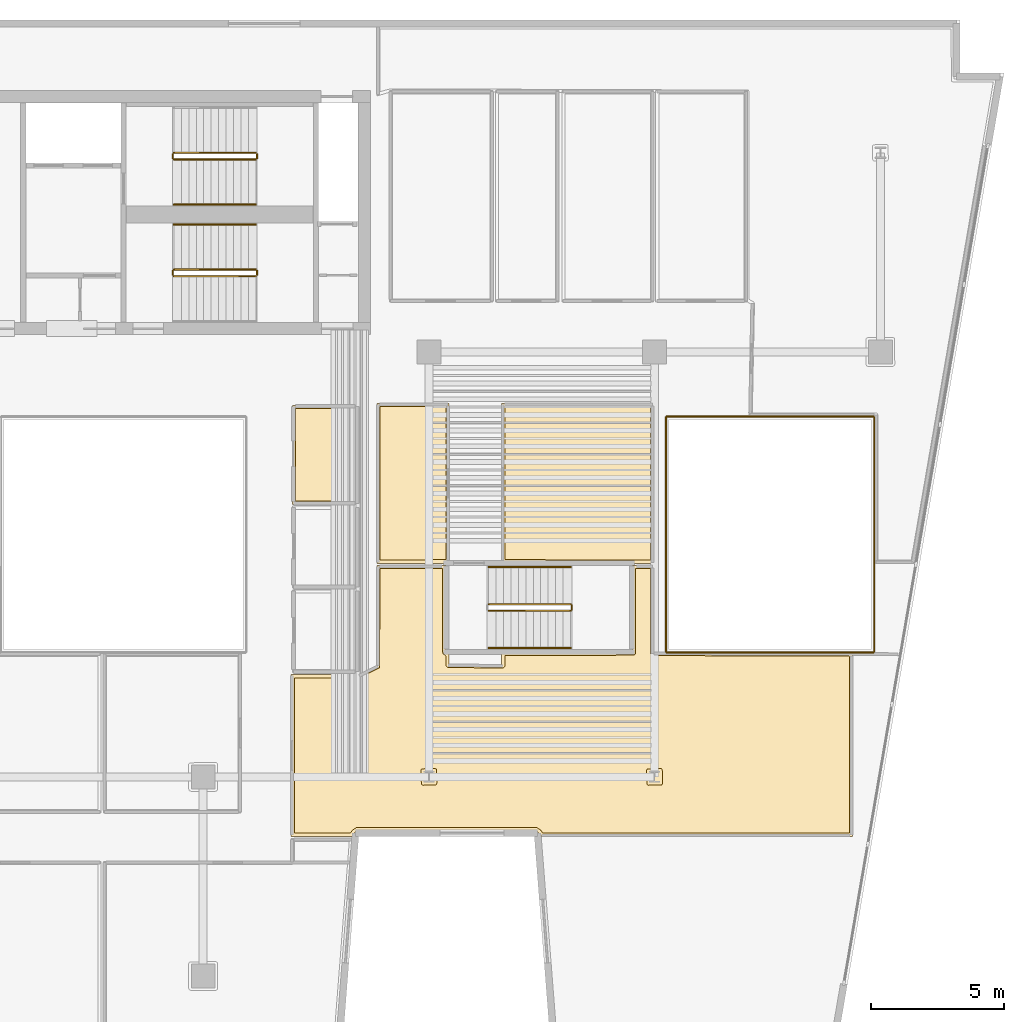
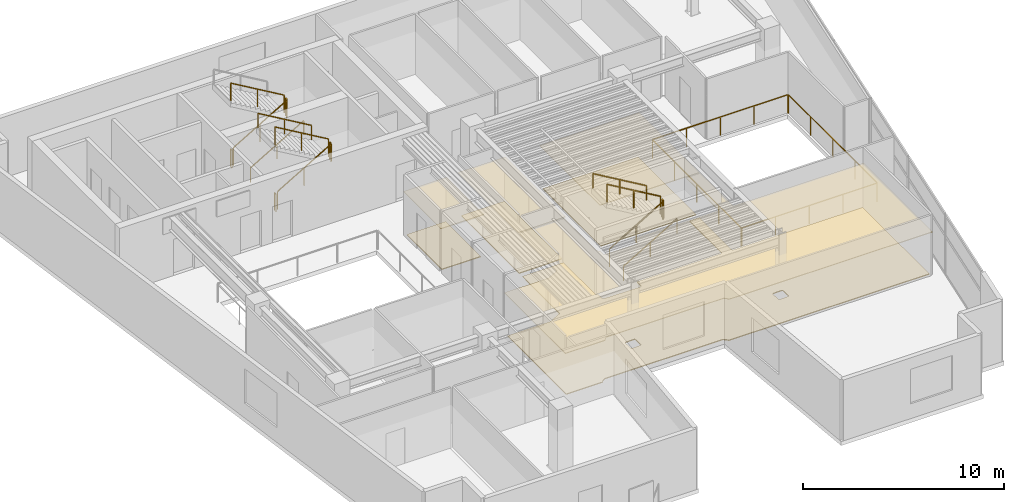
# One storey, part 8 of 9: 19 railings, 8 coverings.
"""IFC4 building model written with IfcOpenShell, lengths in metres."""

from ifc_helpers import new_model, si_unit, direction, frame, origin, origin_2d, place, context, subcontext, project, spatial, polyline, rectangle, outline, extrude, material, layer, layer_set, type_object, element, save


model = new_model("IFC4")

# Units and contexts
model_context = context("Model", 3, precision=1e-05, world=origin(), true_north=direction((0.0, 1.0)))
body_context = subcontext(model_context, "Body", "Model", "MODEL_VIEW")
ifc_project = project(units=[si_unit("LENGTHUNIT", "METRE"), si_unit("AREAUNIT", "SQUARE_METRE"), si_unit("VOLUMEUNIT", "CUBIC_METRE"), si_unit("PLANEANGLEUNIT", "RADIAN"), si_unit("MASSUNIT", "GRAM", prefix="KILO")], contexts=[model_context])

# Site, building, storey
site_placement = place(None, origin())
site = spatial("IfcSite", under=ifc_project, at=site_placement, CompositionType="ELEMENT")
building_placement = place(site_placement, origin())
building = spatial("IfcBuilding", under=site, at=building_placement, Name="Caeloran Harvest Quay", CompositionType="ELEMENT")
storey_placement = place(building_placement, frame((0.0, 0.0, 195.60009765625)))
storey = spatial("IfcBuildingStorey", under=building, at=storey_placement, Name="L46", CompositionType="ELEMENT", Elevation=195.60009765625)

# Coverings
ifc_material_1 = material(Name="Perforated Mineral-Fibre Acoustic Ceiling Tile", Category="ceiling")
ifc_layer_1 = layer(ifc_material_1, 0.0400390625, Name="Perforated Mineral-Fibre Acoustic Ceiling Tile")
ifc_layer_set_1 = layer_set([ifc_layer_1], Name="Perforated Mineral-Fibre Acoustic Ceiling Tile")
covering_type_1 = type_object("IfcCoveringType", Name="COV-CEILING-ACOUSTIC", PredefinedType="CEILING", material=ifc_layer_set_1)
covering_1_placement = place(storey_placement, frame((0.0, 0.0, 2.599853515625)))
element("IfcCovering", 1, at=covering_1_placement, inside=storey, type_object=covering_type_1, Name="L46 Male Washroom WC Acoustic Ceiling", PredefinedType="CEILING", context=body_context, shape_type="SweptSolid", body=[
    extrude(outline(polyline([(22.840087890625, 28.989990234375), (22.840087890625, 25.260009765625), (20.360107421875, 25.260009765625), (20.360107421875, 28.989990234375), (22.840087890625, 28.989990234375)])), origin(), (0.0, 0.0, 1.0), 0.0400390625),
])
covering_2_placement = place(storey_placement, frame((0.0, 0.0, 2.599853515625)))
element("IfcCovering", 2, at=covering_2_placement, inside=storey, type_object=covering_type_1, Name="Corporate Legal Counsel Office Acoustic Ceiling", PredefinedType="CEILING", context=body_context, shape_type="SweptSolid", body=[
    extrude(outline(polyline([(33.159912109375, 22.9599609375), (33.9599609375, 22.9599609375), (33.9599609375, 19.679931640625), (41.4599609375, 19.659912109375), (41.4599609375, 12.760009765625), (29.727294921875, 12.760009765625), (29.64111328125, 12.887451171875), (29.54150390625, 12.969970703125), (22.78515625, 12.969970703125), (22.685302734375, 12.887451171875), (22.59912109375, 12.760009765625), (20.31005859375, 12.760009765625), (20.31005859375, 18.85009765625), (22.87353515625, 18.85009765625), (23.5400390625, 19.184814453125), (23.5400390625, 22.9599609375), (26.139892578125, 22.9599609375), (26.139892578125, 19.69921875), (26.260009765625, 19.604248046875), (26.260009765625, 19.239501953125), (28.239990234375, 19.210693359375), (28.239990234375, 19.68994140625), (33.159912109375, 19.68994140625), (33.159912109375, 22.9599609375)])), origin(), (0.0, 0.0, 1.0), 0.0400390625),
])
covering_3_placement = place(storey_placement, frame((0.0, 0.0, 2.599853515625)))
element("IfcCovering", 3, at=covering_3_placement, inside=storey, type_object=covering_type_1, Name="Interview Meeting Room Acoustic Ceiling", PredefinedType="CEILING", context=body_context, shape_type="SweptSolid", body=[
    extrude(outline(polyline([(26.13720703125, 23.06005859375), (26.1298828125, 23.0400390625), (23.5400390625, 23.0400390625), (23.5400390625, 29.06005859375), (26.260009765625, 29.06005859375), (26.260009765625, 23.06005859375), (26.13720703125, 23.06005859375)])), origin(), (0.0, 0.0, 1.0), 0.0400390625),
])
covering_4_placement = place(storey_placement, frame((0.0, 0.0, 2.599853515625)))
element("IfcCovering", 4, at=covering_4_placement, inside=storey, type_object=covering_type_1, Name="Staff Tea Kitchen Acoustic Ceiling", PredefinedType="CEILING", context=body_context, shape_type="SweptSolid", body=[
    extrude(outline(polyline([(33.162841796875, 23.06005859375), (28.239990234375, 23.06005859375), (28.239990234375, 29.06005859375), (33.9599609375, 29.06005859375), (33.9599609375, 23.0400390625), (33.170166015625, 23.0400390625), (33.162841796875, 23.06005859375)])), origin(), (0.0, 0.0, 1.0), 0.0400390625),
])
ifc_material_2 = material(Name="Calcium-Sulphate Raised Access Floor and Terrazzo Finish", Category="flooring")
ifc_layer_2 = layer(ifc_material_2, 0.050048828125, Name="Calcium-Sulphate Raised Access Floor and Terrazzo Finish")
ifc_layer_set_2 = layer_set([ifc_layer_2], Name="Calcium-Sulphate Raised Access Floor and Terrazzo Finish")
covering_type_2 = type_object("IfcCoveringType", Name="COV-FLOOR-RAISED", PredefinedType="FLOORING", material=ifc_layer_set_2)
covering_5_placement = place(storey_placement, origin())
element("IfcCovering", 5, at=covering_5_placement, inside=storey, type_object=covering_type_2, Name="L46 Male Washroom WC Raised Finish Flooring", PredefinedType="FLOORING", context=body_context, shape_type="SweptSolid", body=[
    extrude(outline(polyline([(22.719970703125, 28.8701171875), (22.719970703125, 25.3798828125), (20.47998046875, 25.3798828125), (20.47998046875, 28.8701171875), (22.719970703125, 28.8701171875)])), origin(), (0.0, 0.0, 1.0), 0.0498046875),
])
covering_6_placement = place(storey_placement, origin())
element("IfcCovering", 6, at=covering_6_placement, inside=storey, type_object=covering_type_2, Name="Corporate Legal Counsel Office Raised Finish Flooring", PredefinedType="FLOORING", context=body_context, shape_type="SweptSolid", body=[
    extrude(outline(polyline([(22.54296875, 12.8798828125), (20.429931640625, 12.8798828125), (20.429931640625, 18.72998046875), (22.890380859375, 18.73046875), (23.64111328125, 19.1083984375), (23.659912109375, 22.840087890625), (26.02001953125, 22.840087890625), (26.02001953125, 19.679931640625), (26.038818359375, 19.62841796875), (26.139892578125, 19.54638671875), (26.1416015625, 19.1845703125), (26.203369140625, 19.12158203125), (28.294677734375, 19.09130859375), (28.359619140625, 19.162109375), (28.360107421875, 19.570068359375), (33.23779296875, 19.579345703125), (33.280029296875, 19.64990234375), (33.280029296875, 22.840087890625), (33.840087890625, 22.840087890625), (33.840087890625, 19.639892578125), (33.88916015625, 19.566162109375), (41.340087890625, 19.540283203125), (41.340087890625, 12.8798828125), (29.783447265625, 12.8798828125), (29.709716796875, 12.990478515625), (29.559326171875, 13.090087890625), (22.76708984375, 13.090087890625), (22.616943359375, 12.990478515625), (22.54296875, 12.8798828125)]), holes=[polyline([(34.302490234375, 14.754150390625), (34.284912109375, 15.288818359375), (34.230712890625, 15.317626953125), (33.726318359375, 15.2998046875), (33.697021484375, 15.238037109375), (33.715087890625, 14.711181640625), (33.777099609375, 14.681884765625), (34.273681640625, 14.7001953125), (34.302490234375, 14.754150390625)]), polyline([(25.802490234375, 14.754150390625), (25.784912109375, 15.288818359375), (25.730712890625, 15.317626953125), (25.226318359375, 15.2998046875), (25.197021484375, 15.238037109375), (25.215087890625, 14.711181640625), (25.277099609375, 14.681884765625), (25.773681640625, 14.7001953125), (25.802490234375, 14.754150390625)])]), origin(), (0.0, 0.0, 1.0), 0.0498046875),
])
covering_7_placement = place(storey_placement, origin())
element("IfcCovering", 7, at=covering_7_placement, inside=storey, type_object=covering_type_2, Name="Interview Meeting Room Raised Finish Flooring", PredefinedType="FLOORING", context=body_context, shape_type="SweptSolid", body=[
    extrude(outline(polyline([(26.139892578125, 23.179931640625), (23.659912109375, 23.159912109375), (23.659912109375, 28.93994140625), (26.139892578125, 28.93994140625), (26.139892578125, 23.179931640625)])), origin(), (0.0, 0.0, 1.0), 0.0498046875),
])
covering_8_placement = place(storey_placement, origin())
element("IfcCovering", 8, at=covering_8_placement, inside=storey, type_object=covering_type_2, Name="Staff Tea Kitchen Raised Finish Flooring", PredefinedType="FLOORING", context=body_context, shape_type="SweptSolid", body=[
    extrude(outline(polyline([(33.840087890625, 23.159912109375), (28.360107421875, 23.179931640625), (28.360107421875, 28.93994140625), (33.840087890625, 28.93994140625), (33.840087890625, 23.159912109375)])), origin(), (0.0, 0.0, 1.0), 0.0498046875),
])

# Railings
ifc_material_3 = material(Name="Powder-Coated Steel Post and Laminated Glass Guardrail", Category="steel")
ifc_layer_3 = layer(ifc_material_3, 0.06005859375, Name="Powder-Coated Steel Post and Laminated Glass Guardrail")
ifc_layer_set_3 = layer_set([ifc_layer_3], Name="Powder-Coated Steel Post and Laminated Glass Guardrail")
railing_type_1 = type_object("IfcRailingType", Name="GUARD-ATRIUM-1150", PredefinedType="GUARDRAIL", material=ifc_layer_set_3)
railing_1_placement = place(storey_placement, frame((34.4619140625, 19.679931640625, 0.0)))
element("IfcRailing", 9, at=railing_1_placement, inside=storey, type_object=railing_type_1, Name="L46 East Botanical Lightwell Guardrail Seg 1", PredefinedType="GUARDRAIL", context=body_context, shape_type="SweptSolid", body=[
    extrude(rectangle(XDim=0.048095703125, YDim=0.048095703125, at=origin_2d()), frame((0.0, 0.0, 1.1259765625), z_axis=(1.0, 0.0, 0.0), x_axis=(0.0, 1.0, 0.0)), (0.0, 0.0, 1.0), 7.776123046875),
    extrude(rectangle(XDim=0.0419921875, YDim=0.0419921875, at=origin_2d()), origin(), (0.0, 0.0, 1.0), 1.101806640625),
    extrude(rectangle(XDim=0.0419921875, YDim=0.0419921875, at=origin_2d()), frame((1.944091796875, 0.0, 0.0)), (0.0, 0.0, 1.0), 1.101806640625),
    extrude(rectangle(XDim=0.0419921875, YDim=0.0419921875, at=origin_2d()), frame((3.88818359375, 0.0, 0.0)), (0.0, 0.0, 1.0), 1.101806640625),
    extrude(rectangle(XDim=0.0419921875, YDim=0.0419921875, at=origin_2d()), frame((5.83203125, 0.0, 0.0)), (0.0, 0.0, 1.0), 1.101806640625),
    extrude(rectangle(XDim=0.0419921875, YDim=0.0419921875, at=origin_2d()), frame((7.776123046875, 0.0, 0.0)), (0.0, 0.0, 1.0), 1.101806640625),
])
railing_2_placement = place(storey_placement, frame((42.27001953125, 19.7119140625, 0.0)))
element("IfcRailing", 10, at=railing_2_placement, inside=storey, type_object=railing_type_1, Name="L46 East Botanical Lightwell Guardrail Seg 2", PredefinedType="GUARDRAIL", context=body_context, shape_type="SweptSolid", body=[
    extrude(rectangle(XDim=0.048095703125, YDim=0.048095703125, at=origin_2d()), frame((0.0, 0.0, 1.1259765625), z_axis=(0.0, 1.0, 0.0), x_axis=(-1.0, 0.0, 0.0)), (0.0, 0.0, 1.0), 8.826171875),
    extrude(rectangle(XDim=0.0419921875, YDim=0.0419921875, at=origin_2d()), origin(), (0.0, 0.0, 1.0), 1.101806640625),
    extrude(rectangle(XDim=0.0419921875, YDim=0.0419921875, at=origin_2d()), frame((0.0, 2.20654296875, 0.0)), (0.0, 0.0, 1.0), 1.101806640625),
    extrude(rectangle(XDim=0.0419921875, YDim=0.0419921875, at=origin_2d()), frame((0.0, 4.4130859375, 0.0)), (0.0, 0.0, 1.0), 1.101806640625),
    extrude(rectangle(XDim=0.0419921875, YDim=0.0419921875, at=origin_2d()), frame((0.0, 6.61962890625, 0.0)), (0.0, 0.0, 1.0), 1.101806640625),
    extrude(rectangle(XDim=0.0419921875, YDim=0.0419921875, at=origin_2d()), frame((0.0, 8.826171875, 0.0)), (0.0, 0.0, 1.0), 1.101806640625),
])
railing_3_placement = place(storey_placement, frame((42.238037109375, 28.570068359375, 0.0)))
element("IfcRailing", 11, at=railing_3_placement, inside=storey, type_object=railing_type_1, Name="L46 East Botanical Lightwell Guardrail Seg 3", PredefinedType="GUARDRAIL", context=body_context, shape_type="SweptSolid", body=[
    extrude(rectangle(XDim=0.048095703125, YDim=0.048095703125, at=origin_2d()), frame((0.0, 0.0, 1.1259765625), z_axis=(-1.0, 0.0, 0.0), x_axis=(0.0, -1.0, 0.0)), (0.0, 0.0, 1.0), 7.776123046875),
    extrude(rectangle(XDim=0.0419921875, YDim=0.0419921875, at=origin_2d()), origin(), (0.0, 0.0, 1.0), 1.101806640625),
    extrude(rectangle(XDim=0.0419921875, YDim=0.0419921875, at=origin_2d()), frame((-1.944091796875, 0.0, 0.0)), (0.0, 0.0, 1.0), 1.101806640625),
    extrude(rectangle(XDim=0.0419921875, YDim=0.0419921875, at=origin_2d()), frame((-3.88818359375, 0.0, 0.0)), (0.0, 0.0, 1.0), 1.101806640625),
    extrude(rectangle(XDim=0.0419921875, YDim=0.0419921875, at=origin_2d()), frame((-5.83203125, 0.0, 0.0)), (0.0, 0.0, 1.0), 1.101806640625),
    extrude(rectangle(XDim=0.0419921875, YDim=0.0419921875, at=origin_2d()), frame((-7.776123046875, 0.0, 0.0)), (0.0, 0.0, 1.0), 1.101806640625),
])
railing_4_placement = place(storey_placement, frame((34.429931640625, 28.5380859375, 0.0)))
element("IfcRailing", 12, at=railing_4_placement, inside=storey, type_object=railing_type_1, Name="L46 East Botanical Lightwell Guardrail Seg 4", PredefinedType="GUARDRAIL", context=body_context, shape_type="SweptSolid", body=[
    extrude(rectangle(XDim=0.048095703125, YDim=0.048095703125, at=origin_2d()), frame((0.0, 0.0, 1.1259765625), z_axis=(0.0, -1.0, 0.0), x_axis=(1.0, 0.0, 0.0)), (0.0, 0.0, 1.0), 8.826171875),
    extrude(rectangle(XDim=0.0419921875, YDim=0.0419921875, at=origin_2d()), origin(), (0.0, 0.0, 1.0), 1.101806640625),
    extrude(rectangle(XDim=0.0419921875, YDim=0.0419921875, at=origin_2d()), frame((0.0, -2.20654296875, 0.0)), (0.0, 0.0, 1.0), 1.101806640625),
    extrude(rectangle(XDim=0.0419921875, YDim=0.0419921875, at=origin_2d()), frame((0.0, -4.4130859375, 0.0)), (0.0, 0.0, 1.0), 1.101806640625),
    extrude(rectangle(XDim=0.0419921875, YDim=0.0419921875, at=origin_2d()), frame((0.0, -6.61962890625, 0.0)), (0.0, 0.0, 1.0), 1.101806640625),
    extrude(rectangle(XDim=0.0419921875, YDim=0.0419921875, at=origin_2d()), frame((0.0, -8.826171875, 0.0)), (0.0, 0.0, 1.0), 1.101806640625),
])
ifc_material_4 = material(Name="Painted Steel Baluster and Top-Rail Stair Guard", Category="steel")
ifc_layer_4 = layer(ifc_material_4, 0.050048828125, Name="Painted Steel Baluster and Top-Rail Stair Guard")
ifc_layer_set_4 = layer_set([ifc_layer_4], Name="Painted Steel Baluster and Top-Rail Stair Guard")
railing_type_2 = type_object("IfcRailingType", Name="STAIR-GUARD-1100", PredefinedType="GUARDRAIL", material=ifc_layer_set_4)
railing_5_placement = place(storey_placement, frame((15.89990234375, 38.25, 0.16455078125)))
element("IfcRailing", 13, at=railing_5_placement, inside=storey, type_object=railing_type_2, Name="L46 ST-C1 stair guard 1", PredefinedType="GUARDRAIL", context=body_context, shape_type="SweptSolid", body=[
    extrude(rectangle(XDim=0.048095703125, YDim=0.048095703125, at=origin_2d()), frame((0.0, 0.0, 1.076171875), z_axis=(0.862118610829, 0.0, 0.506706523406), x_axis=(0.0, 1.0, 0.0)), (0.0, 0.0, 1.0), 3.57275390625),
    extrude(rectangle(XDim=0.0419921875, YDim=0.0419921875, at=origin_2d()), origin(), (0.0, 0.0, 1.0), 1.052001953125),
    extrude(rectangle(XDim=0.0419921875, YDim=0.0419921875, at=origin_2d()), frame((1.5400390625, 0.0, 0.9052734375)), (0.0, 0.0, 1.0), 1.052001953125),
    extrude(rectangle(XDim=0.0419921875, YDim=0.0419921875, at=origin_2d()), frame((3.080078125, 0.0, 1.810302734375)), (0.0, 0.0, 1.0), 1.052001953125),
])
railing_6_placement = place(storey_placement, frame((19.030029296875, 38.300048828125, 1.974853515625)))
element("IfcRailing", 14, at=railing_6_placement, inside=storey, type_object=railing_type_2, Name="L46 ST-C1 stair guard 2", PredefinedType="GUARDRAIL", context=body_context, shape_type="SweptSolid", body=[
    extrude(rectangle(XDim=0.048095703125, YDim=0.048095703125, at=origin_2d()), frame((0.0, 0.0, 1.076171875), z_axis=(0.0, 1.0, 0.0), x_axis=(-1.0, 0.0, 0.0)), (0.0, 0.0, 1.0), 0.14990234375),
    extrude(rectangle(XDim=0.0419921875, YDim=0.0419921875, at=origin_2d()), origin(), (0.0, 0.0, 1.0), 1.052001953125),
    extrude(rectangle(XDim=0.0419921875, YDim=0.0419921875, at=origin_2d()), frame((0.0, 0.14990234375, 0.0)), (0.0, 0.0, 1.0), 1.052001953125),
])
railing_7_placement = place(storey_placement, frame((18.97998046875, 38.5, 2.139404296875)))
element("IfcRailing", 15, at=railing_7_placement, inside=storey, type_object=railing_type_2, Name="L46 ST-C1 stair guard 3", PredefinedType="GUARDRAIL", context=body_context, shape_type="SweptSolid", body=[
    extrude(rectangle(XDim=0.048095703125, YDim=0.048095703125, at=origin_2d()), frame((0.0, 0.0, 1.076171875), z_axis=(-0.862088758681, 0.0, 0.506757310905), x_axis=(0.0, -1.0, 0.0)), (0.0, 0.0, 1.0), 3.57275390625),
    extrude(rectangle(XDim=0.0419921875, YDim=0.0419921875, at=origin_2d()), origin(), (0.0, 0.0, 1.0), 1.052001953125),
    extrude(rectangle(XDim=0.0419921875, YDim=0.0419921875, at=origin_2d()), frame((-1.5400390625, 0.0, 0.9052734375)), (0.0, 0.0, 1.0), 1.052001953125),
    extrude(rectangle(XDim=0.0419921875, YDim=0.0419921875, at=origin_2d()), frame((-3.080078125, 0.0, 1.810546875)), (0.0, 0.0, 1.0), 1.052001953125),
])
railing_8_placement = place(storey_placement, frame((15.85009765625, 38.300048828125, 0.0)))
element("IfcRailing", 16, at=railing_8_placement, inside=storey, type_object=railing_type_2, Name="L46 ST-C1 stair guard 4", PredefinedType="GUARDRAIL", context=body_context, shape_type="SweptSolid", body=[
    extrude(rectangle(XDim=0.048095703125, YDim=0.048095703125, at=origin_2d()), frame((0.0, 0.0, 1.076171875), z_axis=(0.0, 1.0, 0.0), x_axis=(-1.0, 0.0, 0.0)), (0.0, 0.0, 1.0), 0.14990234375),
    extrude(rectangle(XDim=0.0419921875, YDim=0.0419921875, at=origin_2d()), origin(), (0.0, 0.0, 1.0), 1.052001953125),
    extrude(rectangle(XDim=0.0419921875, YDim=0.0419921875, at=origin_2d()), frame((0.0, 0.14990234375, 0.0)), (0.0, 0.0, 1.0), 1.052001953125),
])
railing_9_placement = place(storey_placement, frame((15.89990234375, 33.85009765625, 0.16455078125)))
element("IfcRailing", 17, at=railing_9_placement, inside=storey, type_object=railing_type_2, Name="L46 ST-C2 stair guard 1", PredefinedType="GUARDRAIL", context=body_context, shape_type="SweptSolid", body=[
    extrude(rectangle(XDim=0.048095703125, YDim=0.048095703125, at=origin_2d()), frame((0.0, 0.0, 1.076171875), z_axis=(0.862118610829, 0.0, 0.506706523406), x_axis=(0.0, 1.0, 0.0)), (0.0, 0.0, 1.0), 3.57275390625),
    extrude(rectangle(XDim=0.0419921875, YDim=0.0419921875, at=origin_2d()), origin(), (0.0, 0.0, 1.0), 1.052001953125),
    extrude(rectangle(XDim=0.0419921875, YDim=0.0419921875, at=origin_2d()), frame((1.5400390625, 0.0, 0.9052734375)), (0.0, 0.0, 1.0), 1.052001953125),
    extrude(rectangle(XDim=0.0419921875, YDim=0.0419921875, at=origin_2d()), frame((3.080078125, 0.0, 1.810302734375)), (0.0, 0.0, 1.0), 1.052001953125),
])
railing_10_placement = place(storey_placement, frame((19.030029296875, 33.89990234375, 1.974853515625)))
element("IfcRailing", 18, at=railing_10_placement, inside=storey, type_object=railing_type_2, Name="L46 ST-C2 stair guard 2", PredefinedType="GUARDRAIL", context=body_context, shape_type="SweptSolid", body=[
    extrude(rectangle(XDim=0.048095703125, YDim=0.048095703125, at=origin_2d()), frame((0.0, 0.0, 1.076171875), z_axis=(0.0, 1.0, 0.0), x_axis=(-1.0, 0.0, 0.0)), (0.0, 0.0, 1.0), 0.150146484375),
    extrude(rectangle(XDim=0.0419921875, YDim=0.0419921875, at=origin_2d()), origin(), (0.0, 0.0, 1.0), 1.052001953125),
    extrude(rectangle(XDim=0.0419921875, YDim=0.0419921875, at=origin_2d()), frame((0.0, 0.150146484375, 0.0)), (0.0, 0.0, 1.0), 1.052001953125),
])
railing_11_placement = place(storey_placement, frame((18.97998046875, 34.10009765625, 2.139404296875)))
element("IfcRailing", 19, at=railing_11_placement, inside=storey, type_object=railing_type_2, Name="L46 ST-C2 stair guard 3", PredefinedType="GUARDRAIL", context=body_context, shape_type="SweptSolid", body=[
    extrude(rectangle(XDim=0.048095703125, YDim=0.048095703125, at=origin_2d()), frame((0.0, 0.0, 1.076171875), z_axis=(-0.862088758681, 0.0, 0.506757310905), x_axis=(0.0, -1.0, 0.0)), (0.0, 0.0, 1.0), 3.57275390625),
    extrude(rectangle(XDim=0.0419921875, YDim=0.0419921875, at=origin_2d()), origin(), (0.0, 0.0, 1.0), 1.052001953125),
    extrude(rectangle(XDim=0.0419921875, YDim=0.0419921875, at=origin_2d()), frame((-1.5400390625, 0.0, 0.9052734375)), (0.0, 0.0, 1.0), 1.052001953125),
    extrude(rectangle(XDim=0.0419921875, YDim=0.0419921875, at=origin_2d()), frame((-3.080078125, 0.0, 1.810546875)), (0.0, 0.0, 1.0), 1.052001953125),
])
railing_12_placement = place(storey_placement, frame((15.85009765625, 33.89990234375, 0.0)))
element("IfcRailing", 20, at=railing_12_placement, inside=storey, type_object=railing_type_2, Name="L46 ST-C2 stair guard 4", PredefinedType="GUARDRAIL", context=body_context, shape_type="SweptSolid", body=[
    extrude(rectangle(XDim=0.048095703125, YDim=0.048095703125, at=origin_2d()), frame((0.0, 0.0, 1.076171875), z_axis=(0.0, 1.0, 0.0), x_axis=(-1.0, 0.0, 0.0)), (0.0, 0.0, 1.0), 0.150146484375),
    extrude(rectangle(XDim=0.0419921875, YDim=0.0419921875, at=origin_2d()), origin(), (0.0, 0.0, 1.0), 1.052001953125),
    extrude(rectangle(XDim=0.0419921875, YDim=0.0419921875, at=origin_2d()), frame((0.0, 0.150146484375, 0.0)), (0.0, 0.0, 1.0), 1.052001953125),
])
railing_13_placement = place(storey_placement, frame((27.75, 21.25, 0.16455078125)))
element("IfcRailing", 21, at=railing_13_placement, inside=storey, type_object=railing_type_2, Name="L46 ST-W1 stair guard 1", PredefinedType="GUARDRAIL", context=body_context, shape_type="SweptSolid", body=[
    extrude(rectangle(XDim=0.048095703125, YDim=0.048095703125, at=origin_2d()), frame((0.0, 0.0, 1.076171875), z_axis=(0.862118610829, 0.0, 0.506706523406), x_axis=(0.0, 1.0, 0.0)), (0.0, 0.0, 1.0), 3.57275390625),
    extrude(rectangle(XDim=0.0419921875, YDim=0.0419921875, at=origin_2d()), origin(), (0.0, 0.0, 1.0), 1.052001953125),
    extrude(rectangle(XDim=0.0419921875, YDim=0.0419921875, at=origin_2d()), frame((1.5400390625, 0.0, 0.9052734375)), (0.0, 0.0, 1.0), 1.052001953125),
    extrude(rectangle(XDim=0.0419921875, YDim=0.0419921875, at=origin_2d()), frame((3.080078125, 0.0, 1.810302734375)), (0.0, 0.0, 1.0), 1.052001953125),
])
railing_14_placement = place(storey_placement, frame((30.8798828125, 21.300048828125, 1.974853515625)))
element("IfcRailing", 22, at=railing_14_placement, inside=storey, type_object=railing_type_2, Name="L46 ST-W1 stair guard 2", PredefinedType="GUARDRAIL", context=body_context, shape_type="SweptSolid", body=[
    extrude(rectangle(XDim=0.048095703125, YDim=0.048095703125, at=origin_2d()), frame((0.0, 0.0, 1.076171875), z_axis=(0.0, 1.0, 0.0), x_axis=(-1.0, 0.0, 0.0)), (0.0, 0.0, 1.0), 0.14990234375),
    extrude(rectangle(XDim=0.0419921875, YDim=0.0419921875, at=origin_2d()), origin(), (0.0, 0.0, 1.0), 1.052001953125),
    extrude(rectangle(XDim=0.0419921875, YDim=0.0419921875, at=origin_2d()), frame((0.0, 0.14990234375, 0.0)), (0.0, 0.0, 1.0), 1.052001953125),
])
railing_15_placement = place(storey_placement, frame((30.830078125, 21.5, 2.139404296875)))
element("IfcRailing", 23, at=railing_15_placement, inside=storey, type_object=railing_type_2, Name="L46 ST-W1 stair guard 3", PredefinedType="GUARDRAIL", context=body_context, shape_type="SweptSolid", body=[
    extrude(rectangle(XDim=0.048095703125, YDim=0.048095703125, at=origin_2d()), frame((0.0, 0.0, 1.076171875), z_axis=(-0.862088758681, 0.0, 0.506757310905), x_axis=(0.0, -1.0, 0.0)), (0.0, 0.0, 1.0), 3.57275390625),
    extrude(rectangle(XDim=0.0419921875, YDim=0.0419921875, at=origin_2d()), origin(), (0.0, 0.0, 1.0), 1.052001953125),
    extrude(rectangle(XDim=0.0419921875, YDim=0.0419921875, at=origin_2d()), frame((-1.5400390625, 0.0, 0.9052734375)), (0.0, 0.0, 1.0), 1.052001953125),
    extrude(rectangle(XDim=0.0419921875, YDim=0.0419921875, at=origin_2d()), frame((-3.080078125, 0.0, 1.810546875)), (0.0, 0.0, 1.0), 1.052001953125),
])
ifc_material_5 = material(Name="Brushed Stainless Steel Grade 304", Category="steel")
ifc_layer_5 = layer(ifc_material_5, 0.050048828125, Name="Brushed Stainless Steel Grade 304")
ifc_layer_set_5 = layer_set([ifc_layer_5], Name="Brushed Stainless Steel Grade 304")
railing_type_3 = type_object("IfcRailingType", Name="STAIR-HANDRAIL-900", PredefinedType="HANDRAIL", material=ifc_layer_set_5)
railing_16_placement = place(storey_placement, frame((15.89990234375, 36.550048828125, 0.16455078125)))
element("IfcRailing", 24, at=railing_16_placement, inside=storey, type_object=railing_type_3, Name="L46 ST-C1 stair handrail 1", PredefinedType="HANDRAIL", context=body_context, shape_type="SweptSolid", body=[
    extrude(rectangle(XDim=0.048095703125, YDim=0.048095703125, at=origin_2d()), frame((0.0, 0.0, 0.8759765625), z_axis=(0.862118610829, 0.0, 0.506706523406), x_axis=(0.0, 1.0, 0.0)), (0.0, 0.0, 1.0), 3.57275390625),
    extrude(rectangle(XDim=0.0419921875, YDim=0.0419921875, at=origin_2d()), origin(), (0.0, 0.0, 1.0), 0.851806640625),
    extrude(rectangle(XDim=0.0419921875, YDim=0.0419921875, at=origin_2d()), frame((1.5400390625, 0.0, 0.9052734375)), (0.0, 0.0, 1.0), 0.851806640625),
    extrude(rectangle(XDim=0.0419921875, YDim=0.0419921875, at=origin_2d()), frame((3.080078125, 0.0, 1.810302734375)), (0.0, 0.0, 1.0), 0.851806640625),
])
railing_17_placement = place(storey_placement, frame((18.97998046875, 35.800048828125, 2.139404296875)))
element("IfcRailing", 25, at=railing_17_placement, inside=storey, type_object=railing_type_3, Name="L46 ST-C2 stair handrail 2", PredefinedType="HANDRAIL", context=body_context, shape_type="SweptSolid", body=[
    extrude(rectangle(XDim=0.048095703125, YDim=0.048095703125, at=origin_2d()), frame((0.0, 0.0, 0.8759765625), z_axis=(-0.862088758681, 0.0, 0.506757310905), x_axis=(0.0, -1.0, 0.0)), (0.0, 0.0, 1.0), 3.57275390625),
    extrude(rectangle(XDim=0.0419921875, YDim=0.0419921875, at=origin_2d()), origin(), (0.0, 0.0, 1.0), 0.851806640625),
    extrude(rectangle(XDim=0.0419921875, YDim=0.0419921875, at=origin_2d()), frame((-1.5400390625, 0.0, 0.9052734375)), (0.0, 0.0, 1.0), 0.851806640625),
    extrude(rectangle(XDim=0.0419921875, YDim=0.0419921875, at=origin_2d()), frame((-3.080078125, 0.0, 1.810546875)), (0.0, 0.0, 1.0), 0.851806640625),
])
railing_18_placement = place(storey_placement, frame((27.75, 19.85009765625, 0.16455078125)))
element("IfcRailing", 26, at=railing_18_placement, inside=storey, type_object=railing_type_3, Name="L46 ST-W1 stair handrail 1", PredefinedType="HANDRAIL", context=body_context, shape_type="SweptSolid", body=[
    extrude(rectangle(XDim=0.048095703125, YDim=0.048095703125, at=origin_2d()), frame((0.0, 0.0, 0.8759765625), z_axis=(0.862118610829, 0.0, 0.506706523406), x_axis=(0.0, 1.0, 0.0)), (0.0, 0.0, 1.0), 3.57275390625),
    extrude(rectangle(XDim=0.0419921875, YDim=0.0419921875, at=origin_2d()), origin(), (0.0, 0.0, 1.0), 0.851806640625),
    extrude(rectangle(XDim=0.0419921875, YDim=0.0419921875, at=origin_2d()), frame((1.5400390625, 0.0, 0.9052734375)), (0.0, 0.0, 1.0), 0.851806640625),
    extrude(rectangle(XDim=0.0419921875, YDim=0.0419921875, at=origin_2d()), frame((3.080078125, 0.0, 1.810302734375)), (0.0, 0.0, 1.0), 0.851806640625),
])
railing_19_placement = place(storey_placement, frame((30.830078125, 22.89990234375, 2.139404296875)))
element("IfcRailing", 27, at=railing_19_placement, inside=storey, type_object=railing_type_3, Name="L46 ST-W1 stair handrail 2", PredefinedType="HANDRAIL", context=body_context, shape_type="SweptSolid", body=[
    extrude(rectangle(XDim=0.048095703125, YDim=0.048095703125, at=origin_2d()), frame((0.0, 0.0, 0.8759765625), z_axis=(-0.862088758681, 0.0, 0.506757310905), x_axis=(0.0, -1.0, 0.0)), (0.0, 0.0, 1.0), 3.57275390625),
    extrude(rectangle(XDim=0.0419921875, YDim=0.0419921875, at=origin_2d()), origin(), (0.0, 0.0, 1.0), 0.851806640625),
    extrude(rectangle(XDim=0.0419921875, YDim=0.0419921875, at=origin_2d()), frame((-1.5400390625, 0.0, 0.9052734375)), (0.0, 0.0, 1.0), 0.851806640625),
    extrude(rectangle(XDim=0.0419921875, YDim=0.0419921875, at=origin_2d()), frame((-3.080078125, 0.0, 1.810546875)), (0.0, 0.0, 1.0), 0.851806640625),
])

save(model, "model.ifc")
